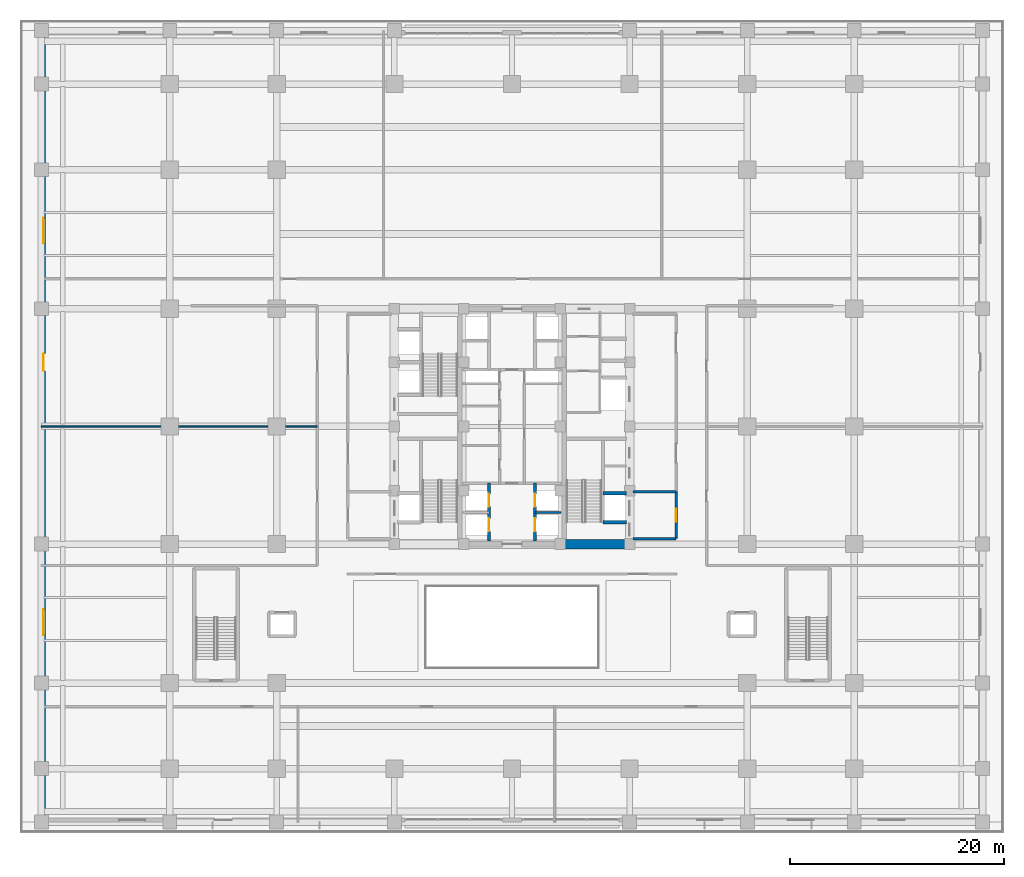
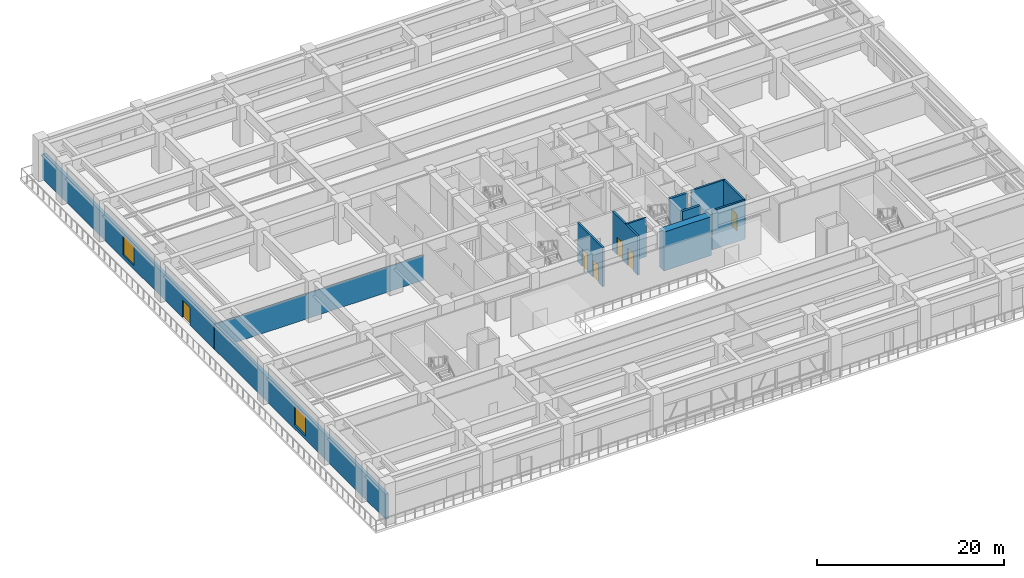
# One storey, part 16 of 28: 11 walls, 6 doors, 2 windows, 8 openings.
"""IFC4 building model written with IfcOpenShell, lengths in metres."""

from ifc_helpers import new_model, si_unit, direction, frame, frame_2d, origin, place, context, subcontext, project, spatial, rectangle, extrude, source, transform, mapped, material, layer, layer_set, type_object, element, fill, save


model = new_model("IFC4")

# Units and contexts
model_context = context("Model", 3, precision=1e-05, world=origin(), true_north=direction((0.0, 1.0)))
body_context = subcontext(model_context, "Body", "Model", "MODEL_VIEW")
ifc_project = project(units=[si_unit("LENGTHUNIT", "METRE"), si_unit("AREAUNIT", "SQUARE_METRE"), si_unit("VOLUMEUNIT", "CUBIC_METRE"), si_unit("PLANEANGLEUNIT", "RADIAN"), si_unit("MASSUNIT", "GRAM", prefix="KILO")], contexts=[model_context])

# Site, building, storey
site_placement = place(None, origin())
site = spatial("IfcSite", under=ifc_project, at=site_placement, CompositionType="ELEMENT")
building_placement = place(site_placement, origin())
building = spatial("IfcBuilding", under=site, at=building_placement, Name="Khorayat Bourse Tower", CompositionType="ELEMENT")
storey_placement = place(building_placement, frame((0.0, 0.0, 6.60009765625)))
storey = spatial("IfcBuildingStorey", under=building, at=storey_placement, Name="L01", CompositionType="ELEMENT", Elevation=6.60009765625)

# Wall
ifc_material_1 = material(Name="Concrete C72/90", Category="concrete")
ifc_layer_1 = layer(ifc_material_1, 0.89990234375)
ifc_layer_set_1 = layer_set([ifc_layer_1], Name="Concrete C72/90")
wall_type_1 = type_object("IfcWallType", Name="WAL-CORE-900", PredefinedType="SHEAR", material=ifc_layer_set_1)
shared_shape_1 = source(origin(), body_context, "Body", "SweptSolid", [
    extrude(rectangle(XDim=5.849853515625, YDim=0.89990234375, at=frame_2d((2.9248046875, 0.0))), origin(), (0.0, 0.0, 1.0), 5.079833984375),
])
wall_1_placement = place(storey_placement, frame((4.85009765625, -11.0, 0.0), z_axis=(0.0, 0.0, 1.0), x_axis=(1.0, 0.0, 0.0)))
element("IfcWall", 1, at=wall_1_placement, inside=storey, type_object=wall_type_1, Name="L01 Core Shear Wall PIER-ES", PredefinedType="SHEAR", context=body_context, shape_type="MappedRepresentation", body=[
    mapped(shared_shape_1, transform((0.0, 0.0, 0.0), scale=1.0)),
])

# Wall, openings, door, windows
ifc_material_2 = material(Name="Precast concrete C45/55", Category="concrete")
ifc_layer_2 = layer(ifc_material_2, 0.3798828125)
ifc_layer_set_2 = layer_set([ifc_layer_2], Name="Precast concrete C45/55")
wall_type_2 = type_object("IfcWallType", Name="WAL-EXT-STONE-380", PredefinedType="STANDARD", material=ifc_layer_set_2)
shared_shape_2 = source(origin(), body_context, "Body", "SweptSolid", [
    extrude(rectangle(XDim=73.240234375, YDim=0.3798828125, at=frame_2d((36.6201171875, 0.0))), origin(), (0.0, 0.0, 1.0), 3.27978515625),
])
wall_2_placement = place(storey_placement, frame((-43.81005859375, -36.6201171875, 0.0), z_axis=(0.0, 0.0, 1.0), x_axis=(0.0, 1.0, 0.0)))
wall_2 = element("IfcWall", 2, at=wall_2_placement, inside=storey, type_object=wall_type_2, Name="L01 Exterior Limestone Wall WAL-L01-EXT-WF", PredefinedType="STANDARD", context=body_context, shape_type="MappedRepresentation", body=[
    mapped(shared_shape_2, transform((0.0, 0.0, 0.0), scale=1.0)),
])
shared_shape_3 = source(origin(), body_context, "Body", "SweptSolid", [
    extrude(rectangle(XDim=1.60009765625, YDim=2.25, at=frame_2d((0.800048828125, 1.125))), frame((0.0, 0.199951171875, 0.0), z_axis=(0.0, -1.0, 0.0), x_axis=(1.0, 0.0, 0.0)), (0.0, 0.0, 1.0), 0.39990234375),
])
opening_1_placement = place(wall_2_placement, frame((41.820068359375, 0.0, 0.0)))
opening_1 = element("IfcOpeningElement", 3, at=opening_1_placement, cuts=wall_2, Name="Opening DE-04", PredefinedType="OPENING", context=body_context, shape_type="MappedRepresentation", body=[
    mapped(shared_shape_3, transform((0.0, 0.0, 0.0), scale=1.0)),
])
shared_shape_4 = source(origin(), body_context, "Body", "SweptSolid", [
    extrude(rectangle(XDim=2.39990234375, YDim=2.56005859375, at=frame_2d((1.199951171875, 1.280029296875))), frame((0.0, 0.199951171875, 0.0), z_axis=(0.0, -1.0, 0.0), x_axis=(1.0, 0.0, 0.0)), (0.0, 0.0, 1.0), 0.39990234375),
])
opening_2_placement = place(wall_2_placement, frame((17.110107421875, 0.0, 0.5)))
opening_2 = element("IfcOpeningElement", 4, at=opening_2_placement, cuts=wall_2, Name="Opening WN-01", PredefinedType="OPENING", context=body_context, shape_type="MappedRepresentation", body=[
    mapped(shared_shape_4, transform((0.0, 0.0, 0.0), scale=1.0)),
])
opening_3_placement = place(wall_2_placement, frame((53.72998046875, 0.0, 0.5)))
opening_3 = element("IfcOpeningElement", 5, at=opening_3_placement, cuts=wall_2, Name="Opening WN-01", PredefinedType="OPENING", context=body_context, shape_type="MappedRepresentation", body=[
    mapped(shared_shape_4, transform((0.0, 0.0, 0.0), scale=1.0)),
])
ifc_material_3 = material(Name="Thermally broken aluminium terrace double door", Category="aluminium")
door_type_1 = type_object("IfcDoorType", Name="DR-EXT-TERR-1600", OperationType="NOTDEFINED", PredefinedType="DOOR", material=ifc_material_3)
shared_shape_5 = source(origin(), body_context, "Body", "SweptSolid", [
    extrude(rectangle(XDim=1.60009765625, YDim=2.25, at=frame_2d((0.800048828125, 1.125))), frame((0.0, 0.02490234375, 0.0), z_axis=(0.0, -1.0, 0.0), x_axis=(1.0, 0.0, 0.0)), (0.0, 0.0, 1.0), 0.050048828125),
])
door_1_placement = place(opening_1_placement, origin())
door_1 = element("IfcDoor", 6, at=door_1_placement, inside=storey, type_object=door_type_1, Name="L01 West Garden Terrace Door", OperationType="DOUBLE_DOOR_SINGLE_SWING", OverallHeight=2.25, OverallWidth=1.60009765625, PredefinedType="DOOR", context=body_context, shape_type="MappedRepresentation", body=[
    mapped(shared_shape_5, transform((0.0, 0.0, 0.0), scale=1.0)),
])
fill(opening_1, door_1)
ifc_material_4 = material(Name="Low-E solar-control laminated double glazing", Category="glass")
window_type = type_object("IfcWindowType", Name="WIN-POD-2400x2600", PartitioningType="SINGLE_PANEL", PredefinedType="WINDOW", material=ifc_material_4)
shared_shape_6 = source(origin(), body_context, "Body", "SweptSolid", [
    extrude(rectangle(XDim=2.39990234375, YDim=2.56005859375, at=frame_2d((1.199951171875, 1.280029296875))), frame((0.0, 0.030029296875, 0.0), z_axis=(0.0, -1.0, 0.0), x_axis=(1.0, 0.0, 0.0)), (0.0, 0.0, 1.0), 0.06005859375),
])
window_1_placement = place(opening_2_placement, origin())
window_1 = element("IfcWindow", 7, at=window_1_placement, inside=storey, type_object=window_type, Name="L01 Facade Window 1", OverallHeight=2.56005859375, OverallWidth=2.39990234375, PartitioningType="SINGLE_PANEL", PredefinedType="WINDOW", context=body_context, shape_type="MappedRepresentation", body=[
    mapped(shared_shape_6, transform((0.0, 0.0, 0.0), scale=1.0)),
])
fill(opening_2, window_1)
window_2_placement = place(opening_3_placement, origin())
window_2 = element("IfcWindow", 8, at=window_2_placement, inside=storey, type_object=window_type, Name="L01 Facade Window 3", OverallHeight=2.56005859375, OverallWidth=2.39990234375, PartitioningType="SINGLE_PANEL", PredefinedType="WINDOW", context=body_context, shape_type="MappedRepresentation", body=[
    mapped(shared_shape_6, transform((0.0, 0.0, 0.0), scale=1.0)),
])
fill(opening_3, window_2)

# Walls
ifc_material_5 = material(Name="Concrete C50/60", Category="concrete")
ifc_layer_3 = layer(ifc_material_5, 0.300048828125)
ifc_layer_set_3 = layer_set([ifc_layer_3], Name="Concrete C50/60")
wall_type_3 = type_object("IfcWallType", Name="WAL-SHAFT-300", PredefinedType="SHEAR", material=ifc_layer_set_3)
shared_shape_7 = source(origin(), body_context, "Body", "SweptSolid", [
    extrude(rectangle(XDim=2.199951171875, YDim=0.300048828125, at=frame_2d((1.10009765625, 0.0))), origin(), (0.0, 0.0, 1.0), 5.079833984375),
])
for number, where, z_axis, x_axis, name in (
    (9, (8.5, -8.949951171875, 0.0), (0.0, 0.0, 1.0), (1.0, 0.0, 0.0), "L01 Partition WAL-L01-EPIER-FF2S"),
    (10, (8.5, -6.25, 0.0), (0.0, 0.0, 1.0), (1.0, 0.0, 0.0), "L01 Partition WAL-L01-EPIER-FF2N"),
):
    element("IfcWall", number, at=place(storey_placement, frame(where, z_axis=z_axis, x_axis=x_axis)), inside=storey, type_object=wall_type_3, Name=name, PredefinedType="SHEAR", context=body_context, shape_type="MappedRepresentation", body=[
        mapped(shared_shape_7, transform((0.0, 0.0, 0.0), scale=1.0)),
    ])
ifc_material_6 = material(Name="Aerated concrete blockwork", Category="masonry")
ifc_layer_4 = layer(ifc_material_6, 0.219970703125)
ifc_layer_set_4 = layer_set([ifc_layer_4], Name="Aerated concrete blockwork")
wall_type_4 = type_object("IfcWallType", Name="WAL-PART-FF-220", PredefinedType="PARTITIONING", material=ifc_layer_set_4)
shared_shape_8 = source(origin(), body_context, "Body", "SweptSolid", [
    extrude(rectangle(XDim=4.050048828125, YDim=0.219970703125, at=frame_2d((2.02490234375, 0.0))), origin(), (0.0, 0.0, 1.0), 5.079833984375),
])
for number, where, z_axis, x_axis, name in (
    (11, (11.300048828125, -10.5, 0.0), (0.0, 0.0, 1.0), (1.0, 0.0, 0.0), "L01 Partition WAL-L01-FFLE-S"),
    (12, (11.300048828125, -6.10009765625, 0.0), (0.0, 0.0, 1.0), (1.0, 0.0, 0.0), "L01 Partition WAL-L01-FFLE-N"),
):
    element("IfcWall", number, at=place(storey_placement, frame(where, z_axis=z_axis, x_axis=x_axis)), inside=storey, type_object=wall_type_4, Name=name, PredefinedType="PARTITIONING", context=body_context, shape_type="MappedRepresentation", body=[
        mapped(shared_shape_8, transform((0.0, 0.0, 0.0), scale=1.0)),
    ])

# Wall, opening, door
shared_shape_9 = source(origin(), body_context, "Body", "SweptSolid", [
    extrude(rectangle(XDim=4.39990234375, YDim=0.219970703125, at=frame_2d((2.199951171875, 0.0))), origin(), (0.0, 0.0, 1.0), 5.079833984375),
])
wall_3_placement = place(storey_placement, frame((15.35009765625, -10.5, 0.0), z_axis=(0.0, 0.0, 1.0), x_axis=(0.0, 1.0, 0.0)))
wall_3 = element("IfcWall", 13, at=wall_3_placement, inside=storey, type_object=wall_type_4, Name="L01 Partition WAL-L01-FFLE-E", PredefinedType="PARTITIONING", context=body_context, shape_type="MappedRepresentation", body=[
    mapped(shared_shape_9, transform((0.0, 0.0, 0.0), scale=1.0)),
])
shared_shape_10 = source(origin(), body_context, "Body", "SweptSolid", [
    extrude(rectangle(XDim=1.199951171875, YDim=2.199951171875, at=frame_2d((0.60009765625, 1.10009765625))), frame((0.0, 0.119873046875, 0.0), z_axis=(0.0, -1.0, 0.0), x_axis=(1.0, 0.0, 0.0)), (0.0, 0.0, 1.0), 0.239990234375),
])
opening_4_placement = place(wall_3_placement, frame((1.60009765625, 0.0, 0.0)))
opening_4 = element("IfcOpeningElement", 14, at=opening_4_placement, cuts=wall_3, Name="Opening DI-02", PredefinedType="OPENING", context=body_context, shape_type="MappedRepresentation", body=[
    mapped(shared_shape_10, transform((0.0, 0.0, 0.0), scale=1.0)),
])
ifc_material_7 = material(Name="Fire-rated steel double-seal leaf", Category="steel")
door_type_2 = type_object("IfcDoorType", Name="DR-INT-FFLOBBY-1200", OperationType="NOTDEFINED", PredefinedType="DOOR", material=ifc_material_7)
shared_shape_11 = source(origin(), body_context, "Body", "SweptSolid", [
    extrude(rectangle(XDim=1.199951171875, YDim=2.199951171875, at=frame_2d((0.60009765625, 1.10009765625))), frame((0.0, 0.02490234375, 0.0), z_axis=(0.0, -1.0, 0.0), x_axis=(1.0, 0.0, 0.0)), (0.0, 0.0, 1.0), 0.050048828125),
])
door_2_placement = place(opening_4_placement, origin())
door_2 = element("IfcDoor", 15, at=door_2_placement, inside=storey, type_object=door_type_2, Name="L01 East Firefighting Lobby Door", OperationType="SINGLE_SWING_RIGHT", OverallHeight=2.199951171875, OverallWidth=1.199951171875, PredefinedType="DOOR", context=body_context, shape_type="MappedRepresentation", body=[
    mapped(shared_shape_11, transform((0.0, 0.0, 0.0), scale=1.0)),
])
fill(opening_4, door_2)

# Wall, openings, doors
shared_shape_12 = source(origin(), body_context, "Body", "SweptSolid", [
    extrude(rectangle(XDim=5.39990234375, YDim=0.25, at=frame_2d((2.699951171875, 0.0))), origin(), (0.0, 0.0, 1.0), 5.079833984375),
])
wall_4_placement = place(storey_placement, frame((-2.14990234375, -10.699951171875, 0.0), z_axis=(0.0, 0.0, 1.0), x_axis=(0.0, 1.0, 0.0)))
wall_4 = element("IfcWall", 16, at=wall_4_placement, inside=storey, type_object=wall_type_3, Name="L01 Partition WAL-L01-B1-W", PredefinedType="SHEAR", context=body_context, shape_type="MappedRepresentation", body=[
    mapped(shared_shape_12, transform((0.0, 0.0, 0.0), scale=1.0)),
])
shared_shape_13 = source(origin(), body_context, "Body", "SweptSolid", [
    extrude(rectangle(XDim=1.199951171875, YDim=2.300048828125, at=frame_2d((0.60009765625, 1.14990234375))), frame((0.0, 0.135009765625, 0.0), z_axis=(0.0, -1.0, 0.0), x_axis=(1.0, 0.0, 0.0)), (0.0, 0.0, 1.0), 0.27001953125),
])
opening_5_placement = place(wall_4_placement, frame((0.89990234375, 0.0, 0.0)))
opening_5 = element("IfcOpeningElement", 17, at=opening_5_placement, cuts=wall_4, Name="Opening LD-01", PredefinedType="OPENING", context=body_context, shape_type="MappedRepresentation", body=[
    mapped(shared_shape_13, transform((0.0, 0.0, 0.0), scale=1.0)),
])
opening_6_placement = place(wall_4_placement, frame((3.199951171875, 0.0, 0.0)))
opening_6 = element("IfcOpeningElement", 18, at=opening_6_placement, cuts=wall_4, Name="Opening LD-01", PredefinedType="OPENING", context=body_context, shape_type="MappedRepresentation", body=[
    mapped(shared_shape_13, transform((0.0, 0.0, 0.0), scale=1.0)),
])
ifc_material_8 = material(Name="Brushed bronze stainless-steel sliding door", Category="steel")
door_type_3 = type_object("IfcDoorType", Name="DR-LIFT-PASS-1200", OperationType="NOTDEFINED", PredefinedType="DOOR", material=ifc_material_8)
shared_shape_14 = source(origin(), body_context, "Body", "SweptSolid", [
    extrude(rectangle(XDim=1.199951171875, YDim=2.300048828125, at=frame_2d((0.60009765625, 1.14990234375))), frame((0.0, 0.02490234375, 0.0), z_axis=(0.0, -1.0, 0.0), x_axis=(1.0, 0.0, 0.0)), (0.0, 0.0, 1.0), 0.050048828125),
])
door_3_placement = place(opening_5_placement, origin())
door_3 = element("IfcDoor", 19, at=door_3_placement, inside=storey, type_object=door_type_3, Name="L01 Lift PL-L1 Sliding Landing Door", OperationType="SLIDING_TO_LEFT", OverallHeight=2.300048828125, OverallWidth=1.199951171875, PredefinedType="DOOR", context=body_context, shape_type="MappedRepresentation", body=[
    mapped(shared_shape_14, transform((0.0, 0.0, 0.0), scale=1.0)),
])
fill(opening_5, door_3)
door_4_placement = place(opening_6_placement, origin())
door_4 = element("IfcDoor", 20, at=door_4_placement, inside=storey, type_object=door_type_3, Name="L01 Lift PL-L3 Sliding Landing Door", OperationType="SLIDING_TO_LEFT", OverallHeight=2.300048828125, OverallWidth=1.199951171875, PredefinedType="DOOR", context=body_context, shape_type="MappedRepresentation", body=[
    mapped(shared_shape_14, transform((0.0, 0.0, 0.0), scale=1.0)),
])
fill(opening_6, door_4)

wall_5_placement = place(storey_placement, frame((2.14990234375, -10.699951171875, 0.0), z_axis=(0.0, 0.0, 1.0), x_axis=(0.0, 1.0, 0.0)))
wall_5 = element("IfcWall", 21, at=wall_5_placement, inside=storey, type_object=wall_type_3, Name="L01 Partition WAL-L01-B1-E", PredefinedType="SHEAR", context=body_context, shape_type="MappedRepresentation", body=[
    mapped(shared_shape_12, transform((0.0, 0.0, 0.0), scale=1.0)),
])
opening_7_placement = place(wall_5_placement, frame((0.89990234375, 0.0, 0.0)))
opening_7 = element("IfcOpeningElement", 22, at=opening_7_placement, cuts=wall_5, Name="Opening LD-01", PredefinedType="OPENING", context=body_context, shape_type="MappedRepresentation", body=[
    mapped(shared_shape_13, transform((0.0, 0.0, 0.0), scale=1.0)),
])
opening_8_placement = place(wall_5_placement, frame((3.199951171875, 0.0, 0.0)))
opening_8 = element("IfcOpeningElement", 23, at=opening_8_placement, cuts=wall_5, Name="Opening LD-01", PredefinedType="OPENING", context=body_context, shape_type="MappedRepresentation", body=[
    mapped(shared_shape_13, transform((0.0, 0.0, 0.0), scale=1.0)),
])
door_5_placement = place(opening_7_placement, origin())
door_5 = element("IfcDoor", 24, at=door_5_placement, inside=storey, type_object=door_type_3, Name="L01 Lift PL-L2 Sliding Landing Door", OperationType="SLIDING_TO_LEFT", OverallHeight=2.300048828125, OverallWidth=1.199951171875, PredefinedType="DOOR", context=body_context, shape_type="MappedRepresentation", body=[
    mapped(shared_shape_14, transform((0.0, 0.0, 0.0), scale=1.0)),
])
fill(opening_7, door_5)
door_6_placement = place(opening_8_placement, origin())
door_6 = element("IfcDoor", 25, at=door_6_placement, inside=storey, type_object=door_type_3, Name="L01 Lift PL-L4 Sliding Landing Door", OperationType="SLIDING_TO_LEFT", OverallHeight=2.300048828125, OverallWidth=1.199951171875, PredefinedType="DOOR", context=body_context, shape_type="MappedRepresentation", body=[
    mapped(shared_shape_14, transform((0.0, 0.0, 0.0), scale=1.0)),
])
fill(opening_8, door_6)

# Walls
shared_shape_15 = source(origin(), body_context, "Body", "SweptSolid", [
    extrude(rectangle(XDim=2.4501953125, YDim=0.199951171875, at=frame_2d((1.22509765625, 0.0))), origin(), (0.0, 0.0, 1.0), 5.079833984375),
])
wall_6_placement = place(storey_placement, frame((2.14990234375, -8.050048828125, 0.0), z_axis=(0.0, 0.0, 1.0), x_axis=(1.0, 0.0, 0.0)))
element("IfcWall", 26, at=wall_6_placement, inside=storey, type_object=wall_type_3, Name="L01 Partition WAL-L01-B1-ME", PredefinedType="SHEAR", context=body_context, shape_type="MappedRepresentation", body=[
    mapped(shared_shape_15, transform((0.0, 0.0, 0.0), scale=1.0)),
])
ifc_material_9 = material(Name="Gypsum plasterboard twin-frame partition")
ifc_layer_5 = layer(ifc_material_9, 0.14990234375)
ifc_layer_set_5 = layer_set([ifc_layer_5], Name="Gypsum plasterboard twin-frame partition")
wall_type_5 = type_object("IfcWallType", Name="WAL-PART-SUITE-150", PredefinedType="PARTITIONING", material=ifc_layer_set_5)
shared_shape_16 = source(origin(), body_context, "Body", "SweptSolid", [
    extrude(rectangle(XDim=25.800048828125, YDim=0.14990234375, at=frame_2d((12.89990234375, 0.0))), origin(), (0.0, 0.0, 1.0), 3.27978515625),
])
wall_7_placement = place(storey_placement, frame((-44.0, 0.0, 0.0), z_axis=(0.0, 0.0, 1.0), x_axis=(1.0, 0.0, 0.0)))
element("IfcWall", 27, at=wall_7_placement, inside=storey, type_object=wall_type_5, Name="L01 Partition WAL-L01-PW-DIV-1", PredefinedType="PARTITIONING", context=body_context, shape_type="MappedRepresentation", body=[
    mapped(shared_shape_16, transform((0.0, 0.0, 0.0), scale=1.0)),
])

save(model, "model.ifc")
